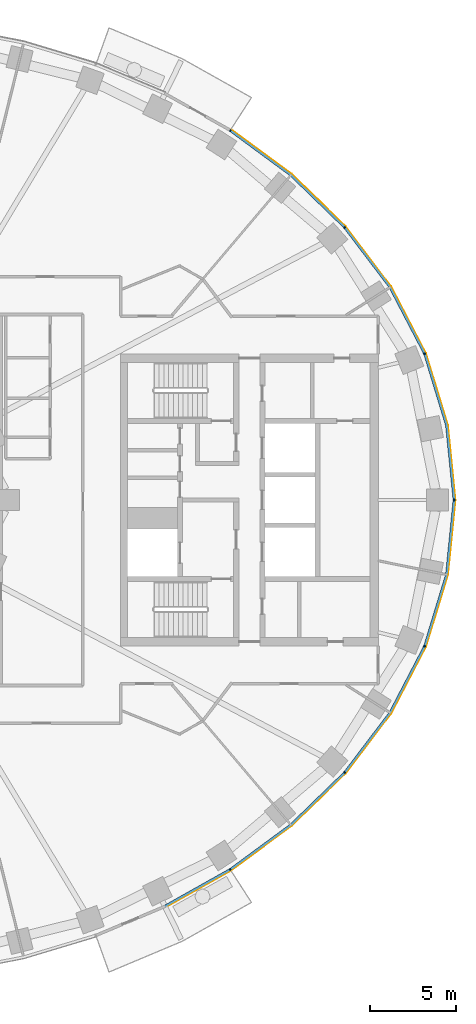
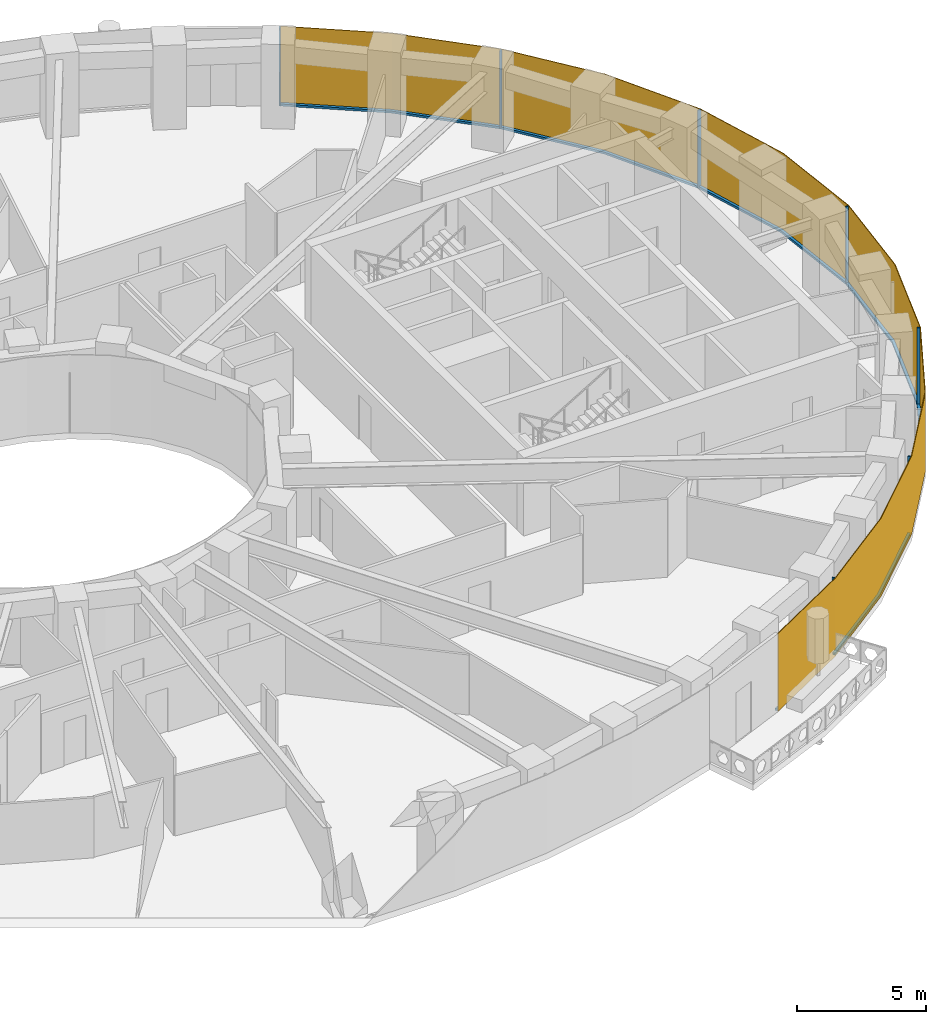
# One storey, part 11 of 15: 14 members, 1 curtain wall.
"""IFC4 building model written with IfcOpenShell, lengths in metres."""

from ifc_helpers import new_model, si_unit, direction, frame, origin, origin_2d, place, context, subcontext, project, spatial, polyline, rectangle, outline, extrude, material, layer, layer_set, material_profile, profile_set, type_object, element, aggregate, save


model = new_model("IFC4")

# Units and contexts
model_context = context("Model", 3, precision=1e-05, world=origin(), true_north=direction((0.0, 1.0)))
body_context = subcontext(model_context, "Body", "Model", "MODEL_VIEW")
ifc_project = project(units=[si_unit("LENGTHUNIT", "METRE"), si_unit("AREAUNIT", "SQUARE_METRE"), si_unit("VOLUMEUNIT", "CUBIC_METRE"), si_unit("PLANEANGLEUNIT", "RADIAN"), si_unit("MASSUNIT", "GRAM", prefix="KILO")], contexts=[model_context])

# Member
ifc_material_1 = material(Name="Aluminium 6063-T6 black anodised", Category="aluminium")
ifc_material_profile = material_profile(ifc_material_1, rectangle(XDim=0.1201171875, YDim=0.06005859375, at=origin_2d()), Name="120x60")
ifc_profile_set = profile_set([ifc_material_profile], Name="Aluminium 6063-T6 black anodised")
member_type_1 = type_object("IfcMemberType", Name="ENV-MULLION-A-120", PredefinedType="MULLION", material=ifc_profile_set)
site_placement = place(None, origin())
building_placement = place(site_placement, origin())
storey_placement = place(building_placement, frame((0.0, 0.0, 92.0)))
member_1_placement = place(storey_placement, frame((22.882568359375, -21.506591796875, 0.0), z_axis=(0.0, 0.0, 1.0), x_axis=(-0.542279153225, 0.840198381323, 0.0)))
member_1 = element("IfcMember", 1, at=member_1_placement, type_object=member_type_1, Name="Mullion A radial 41", PredefinedType="MULLION", context=body_context, shape_type="SweptSolid", body=[
    extrude(rectangle(XDim=0.1201171875, YDim=0.06005859375, at=origin_2d()), origin(), (0.0, 0.0, 1.0), 3.699951171875),
])

member_2_placement = place(storey_placement, frame((29.53857421875, -15.8671875, 0.0), z_axis=(0.0, 0.0, 1.0), x_axis=(-0.749047221705, 0.662516610853, 0.0)))
member_2 = element("IfcMember", 2, at=member_2_placement, type_object=member_type_1, Name="Mullion A radial 43", PredefinedType="MULLION", context=body_context, shape_type="SweptSolid", body=[
    extrude(rectangle(XDim=0.1201171875, YDim=0.06005859375, at=origin_2d()), origin(), (0.0, 0.0, 1.0), 3.699951171875),
])

member_3_placement = place(storey_placement, frame((34.19580078125, -8.513916015625, 0.0), z_axis=(0.0, 0.0, 1.0), x_axis=(-0.92546738067, 0.378827305398, 0.0)))
member_3 = element("IfcMember", 3, at=member_3_placement, type_object=member_type_1, Name="Mullion A radial 45", PredefinedType="MULLION", context=body_context, shape_type="SweptSolid", body=[
    extrude(rectangle(XDim=0.1201171875, YDim=0.06005859375, at=origin_2d()), origin(), (0.0, 0.0, 1.0), 3.699951171875),
])

member_4_placement = place(storey_placement, frame((35.907958984375, 0.0, 0.0), z_axis=(0.0, 0.0, 1.0), x_axis=(-1.0, 0.0, 0.0)))
member_4 = element("IfcMember", 4, at=member_4_placement, type_object=member_type_1, Name="Mullion A radial 01", PredefinedType="MULLION", context=body_context, shape_type="SweptSolid", body=[
    extrude(rectangle(XDim=0.1201171875, YDim=0.06005859375, at=origin_2d()), origin(), (0.0, 0.0, 1.0), 3.699951171875),
])

member_5_placement = place(storey_placement, frame((34.19580078125, 8.513916015625, 0.0), z_axis=(0.0, 0.0, 1.0), x_axis=(-0.92546738067, -0.378827305398, 0.0)))
member_5 = element("IfcMember", 5, at=member_5_placement, type_object=member_type_1, Name="Mullion A radial 03", PredefinedType="MULLION", context=body_context, shape_type="SweptSolid", body=[
    extrude(rectangle(XDim=0.1201171875, YDim=0.06005859375, at=origin_2d()), origin(), (0.0, 0.0, 1.0), 3.699951171875),
])

member_6_placement = place(storey_placement, frame((29.53857421875, 15.8671875, 0.0), z_axis=(0.0, 0.0, 1.0), x_axis=(-0.749047221705, -0.662516610853, 0.0)))
member_6 = element("IfcMember", 6, at=member_6_placement, type_object=member_type_1, Name="Mullion A radial 05", PredefinedType="MULLION", context=body_context, shape_type="SweptSolid", body=[
    extrude(rectangle(XDim=0.1201171875, YDim=0.06005859375, at=origin_2d()), origin(), (0.0, 0.0, 1.0), 3.699951171875),
])

member_7_placement = place(storey_placement, frame((22.882568359375, 21.506591796875, 0.0), z_axis=(0.0, 0.0, 1.0), x_axis=(-0.542279153225, -0.840198381323, 0.0)))
member_7 = element("IfcMember", 7, at=member_7_placement, type_object=member_type_1, Name="Mullion A radial 07", PredefinedType="MULLION", context=body_context, shape_type="SweptSolid", body=[
    extrude(rectangle(XDim=0.1201171875, YDim=0.06005859375, at=origin_2d()), origin(), (0.0, 0.0, 1.0), 3.699951171875),
])

ifc_material_2 = material(Name="Aluminium 6063-T6 black anodised", Category="aluminium")
member_type_2 = type_object("IfcMemberType", Name="ENV-TRANSOM-A", PredefinedType="USERDEFINED", material=ifc_material_2)
member_8_placement = place(storey_placement, origin())
member_8 = element("IfcMember", 8, at=member_8_placement, type_object=member_type_2, Name="Transom A radial 40-41", ObjectType="TRANSOM", PredefinedType="USERDEFINED", context=body_context, shape_type="SweptSolid", body=[
    extrude(outline(polyline([(19.111572265625, -23.691650390625), (22.890625, -21.570556640625), (22.825439453125, -21.469482421875), (19.058837890625, -23.58349609375), (19.111572265625, -23.691650390625)])), origin(), (0.0, 0.0, 1.0), 0.10009765625),
])

member_9_placement = place(storey_placement, origin())
member_9 = element("IfcMember", 9, at=member_9_placement, type_object=member_type_2, Name="Transom A radial 41-43", ObjectType="TRANSOM", PredefinedType="USERDEFINED", context=body_context, shape_type="SweptSolid", body=[
    extrude(outline(polyline([(22.937744140625, -21.540283203125), (26.4423828125, -18.958740234375), (29.5634765625, -15.926513671875), (29.473388671875, -15.8466796875), (26.364501953125, -18.866943359375), (22.87255859375, -21.439208984375), (22.937744140625, -21.540283203125)])), origin(), (0.0, 0.0, 1.0), 0.10009765625),
])

member_10_placement = place(storey_placement, origin())
member_10 = element("IfcMember", 10, at=member_10_placement, type_object=member_type_2, Name="Transom A radial 43-45", ObjectType="TRANSOM", PredefinedType="USERDEFINED", context=body_context, shape_type="SweptSolid", body=[
    extrude(outline(polyline([(29.6005859375, -15.884521484375), (32.22802734375, -12.41748046875), (34.23828125, -8.5615234375), (34.126708984375, -8.515869140625), (32.126220703125, -12.35302734375), (29.51025390625, -15.8046875), (29.6005859375, -15.884521484375)])), origin(), (0.0, 0.0, 1.0), 0.10009765625),
])

member_11_placement = place(storey_placement, origin())
member_11 = element("IfcMember", 11, at=member_11_placement, type_object=member_type_2, Name="Transom A radial 45-01", ObjectType="TRANSOM", PredefinedType="USERDEFINED", context=body_context, shape_type="SweptSolid", body=[
    extrude(outline(polyline([(34.259521484375, -8.509765625), (35.529541015625, -4.352294921875), (35.965087890625, -0.02783203125), (35.844482421875, -0.02783203125), (35.411376953125, -4.32861328125), (34.14794921875, -8.464111328125), (34.259521484375, -8.509765625)])), origin(), (0.0, 0.0, 1.0), 0.10009765625),
])

member_12_placement = place(storey_placement, origin())
member_12 = element("IfcMember", 12, at=member_12_placement, type_object=member_type_2, Name="Transom A radial 01-03", ObjectType="TRANSOM", PredefinedType="USERDEFINED", context=body_context, shape_type="SweptSolid", body=[
    extrude(outline(polyline([(35.965087890625, 0.02783203125), (35.529541015625, 4.352294921875), (34.259521484375, 8.509765625), (34.14794921875, 8.464111328125), (35.411376953125, 4.32861328125), (35.844482421875, 0.02783203125), (35.965087890625, 0.02783203125)])), origin(), (0.0, 0.0, 1.0), 0.10009765625),
])

member_13_placement = place(storey_placement, origin())
member_13 = element("IfcMember", 13, at=member_13_placement, type_object=member_type_2, Name="Transom A radial 03-05", ObjectType="TRANSOM", PredefinedType="USERDEFINED", context=body_context, shape_type="SweptSolid", body=[
    extrude(outline(polyline([(34.23828125, 8.5615234375), (32.22802734375, 12.41748046875), (29.6005859375, 15.884521484375), (29.51025390625, 15.8046875), (32.126220703125, 12.35302734375), (34.126708984375, 8.515869140625), (34.23828125, 8.5615234375)])), origin(), (0.0, 0.0, 1.0), 0.10009765625),
])

member_14_placement = place(storey_placement, origin())
member_14 = element("IfcMember", 14, at=member_14_placement, type_object=member_type_2, Name="Transom A radial 05-07", ObjectType="TRANSOM", PredefinedType="USERDEFINED", context=body_context, shape_type="SweptSolid", body=[
    extrude(outline(polyline([(29.5634765625, 15.926513671875), (26.4423828125, 18.958740234375), (22.937744140625, 21.540283203125), (22.87255859375, 21.439208984375), (26.364501953125, 18.866943359375), (29.473388671875, 15.8466796875), (29.5634765625, 15.926513671875)])), origin(), (0.0, 0.0, 1.0), 0.10009765625),
])

# Site, building, storey
site = spatial("IfcSite", under=ifc_project, at=site_placement, CompositionType="ELEMENT")
building = spatial("IfcBuilding", under=site, at=building_placement, Name="Noorbagh Ring Tower", CompositionType="ELEMENT")
storey = spatial("IfcBuildingStorey", under=building, at=storey_placement, Name="L20", CompositionType="ELEMENT", Elevation=92.0)

# Curtain wall
ifc_material_3 = material(Name="Glass dark tinted laminated", Category="glass")
ifc_layer = layer(ifc_material_3, 0.031982421875)
ifc_layer_set = layer_set([ifc_layer], Name="Glass dark tinted laminated")
curtain_wall_type = type_object("IfcCurtainWallType", Name="ENV-CW-A", PredefinedType="NOTDEFINED", material=ifc_layer_set)
curtain_wall_placement = place(storey_placement, origin())
curtain_wall = element("IfcCurtainWall", 15, at=curtain_wall_placement, inside=storey, type_object=curtain_wall_type, Name="Curtain wall A R40", PredefinedType="NOTDEFINED", context=body_context, shape_type="SweptSolid", body=[
    extrude(outline(polyline([(19.125732421875, -23.720458984375), (22.9326171875, -21.583740234375), (26.463134765625, -18.9833984375), (29.607666015625, -15.927978515625), (32.255126953125, -12.434814453125), (34.281005859375, -8.548828125), (35.561279296875, -4.358642578125), (36.0, 0.0), (35.561279296875, 4.358642578125), (34.281005859375, 8.548828125), (32.255126953125, 12.434814453125), (29.607666015625, 15.927978515625), (26.463134765625, 18.9833984375), (22.948486328125, 21.572021484375), (22.931396484375, 21.544921875), (26.4423828125, 18.958740234375), (29.58349609375, 15.906982421875), (32.22802734375, 12.41748046875), (34.251220703125, 8.53662109375), (35.529541015625, 4.352294921875), (35.9677734375, 0.0), (35.529541015625, -4.352294921875), (34.251220703125, -8.53662109375), (32.22802734375, -12.41748046875), (29.58349609375, -15.906982421875), (26.4423828125, -18.958740234375), (22.9150390625, -21.556884765625), (19.111572265625, -23.691650390625), (19.125732421875, -23.720458984375)])), origin(), (0.0, 0.0, 1.0), 3.699951171875),
])

aggregate(curtain_wall, [member_1, member_2, member_3, member_4, member_5, member_6, member_7, member_8, member_9, member_10, member_11, member_12, member_13, member_14])

save(model, "model.ifc")
